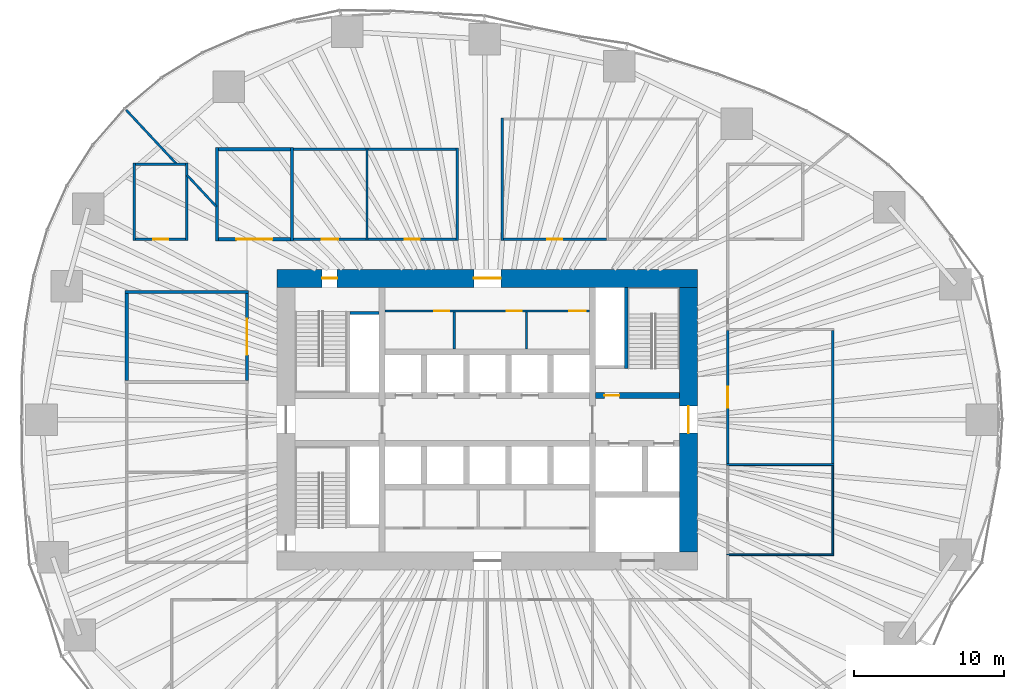
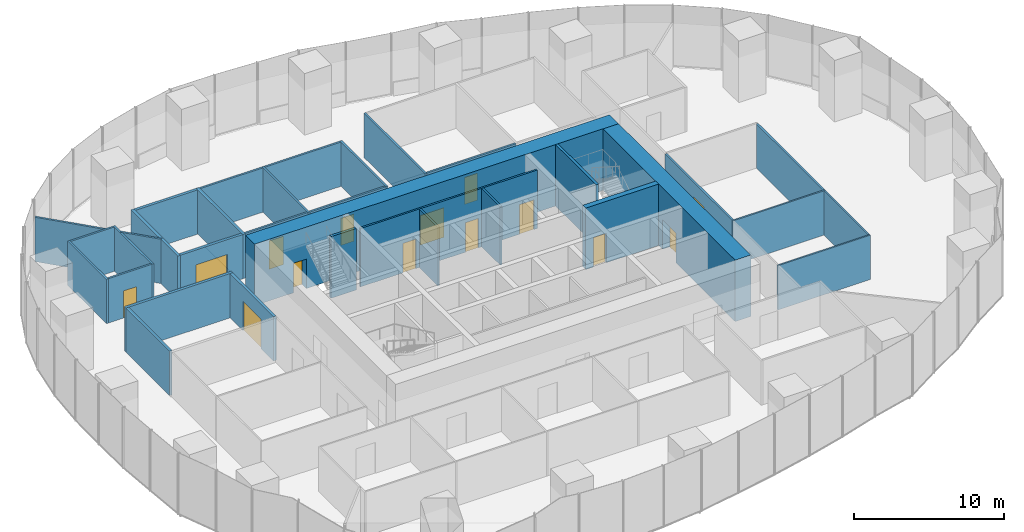
# One storey, part 11 of 20: 34 walls, 14 doors, 14 openings.
"""IFC4 building model written with IfcOpenShell, lengths in metres."""

import ifcopenshell
import ifcopenshell.guid

model = None  # the IFC model being written
_history = None  # IfcOwnerHistory: only IFC2X3 demands one
_inside = {}  # id of a spatial element -> (the spatial element, [elements in it])
_under = {}  # id of a project, library or spatial element -> (it, [spatial elements below it])
_declared = {}  # id of a project -> (the project, [libraries it declares])
_typed = {}  # id of a type object -> (the type object, [elements of that type])
_made_of = {}  # id of a material, layer set ... -> (it, [elements and type objects made of it])


def new_model(schema):
    """Start an empty IFC model of exactly this schema.

    Asked for "IFC4X3", IfcOpenShell would pick the latest addendum, in which some entities
    have other attributes; the version numbers below select the first issue.
    IFC2X3 requires an IfcOwnerHistory on every rooted entity: one is made here for all.
    """
    global model, _history
    if schema == "IFC4X3":
        model = ifcopenshell.file(schema_version=(4, 3, 0, 0))
    else:
        model = ifcopenshell.file(schema=schema)
    _inside.clear()
    _under.clear()
    _declared.clear()
    _typed.clear()
    _made_of.clear()
    _history = None
    if model.schema == "IFC2X3":
        org = make("IfcOrganization", Name="unknown")
        user = make(
            "IfcPersonAndOrganization",
            ThePerson=make("IfcPerson", FamilyName="unknown"),
            TheOrganization=org,
        )
        app = make(
            "IfcApplication",
            ApplicationDeveloper=org,
            Version="unknown",
            ApplicationFullName="unknown",
            ApplicationIdentifier="unknown",
        )
        _history = make(
            "IfcOwnerHistory",
            OwningUser=user,
            OwningApplication=app,
            ChangeAction="ADDED",
            CreationDate=0,
        )
    return model


def make(cls, **values):
    """One entity of the class cls with the attributes given. An attribute that is None is left unset."""
    return model.create_entity(
        cls, **{name: value for name, value in values.items() if value is not None}
    )


def rooted(cls, **values):
    """An entity with a GlobalId (a new one), such as an element, a storey or a relation."""
    return make(cls, GlobalId=ifcopenshell.guid.new(), OwnerHistory=_history, **values)


def si_unit(unit_type, name, prefix=None):
    """IfcSIUnit, for example si_unit("LENGTHUNIT", "METRE", prefix="MILLI")."""
    return make("IfcSIUnit", UnitType=unit_type, Prefix=prefix, Name=name)


def assignment(units):
    """IfcUnitAssignment: the units of a project."""
    return None if units is None else make("IfcUnitAssignment", Units=units)


def point(xyz):
    """IfcCartesianPoint."""
    return None if xyz is None else make("IfcCartesianPoint", Coordinates=xyz)


def direction(xyz):
    """IfcDirection."""
    return None if xyz is None else make("IfcDirection", DirectionRatios=xyz)


def frame(location, z_axis=None, x_axis=None):
    """IfcAxis2Placement3D, a coordinate frame: its origin and axes. An axis left out is left unset."""
    return make(
        "IfcAxis2Placement3D",
        Location=point(location),
        Axis=direction(z_axis),
        RefDirection=direction(x_axis),
    )


def frame_2d(location, x_axis=None):
    """IfcAxis2Placement2D, a coordinate frame in the plane: its origin and x axis."""
    return make(
        "IfcAxis2Placement2D", Location=point(location), RefDirection=direction(x_axis)
    )


def origin():
    """The frame at (0, 0, 0) with its axes left unset."""
    return frame((0.0, 0.0, 0.0))


def place(relative_to, where):
    """IfcLocalPlacement: puts the frame where relative to a parent placement (None: the world)."""
    return make(
        "IfcLocalPlacement", PlacementRelTo=relative_to, RelativePlacement=where
    )


def context(
    kind, dimensions, precision=None, world=None, true_north=None, identifier=None
):
    """IfcGeometricRepresentationContext, for example the 3D "Model" context."""
    return make(
        "IfcGeometricRepresentationContext",
        ContextIdentifier=identifier,
        ContextType=kind,
        CoordinateSpaceDimension=dimensions,
        Precision=precision,
        WorldCoordinateSystem=world,
        TrueNorth=true_north,
    )


def subcontext(parent, identifier, kind, view, scale=None):
    """IfcGeometricRepresentationSubContext, for example "Body" below "Model"."""
    return make(
        "IfcGeometricRepresentationSubContext",
        ContextIdentifier=identifier,
        ContextType=kind,
        ParentContext=parent,
        TargetScale=scale,
        TargetView=view,
    )


def project(units=None, contexts=None):
    """IfcProject with its units and contexts."""
    return rooted(
        "IfcProject",
        Name="project",
        RepresentationContexts=contexts,
        UnitsInContext=assignment(units),
    )


def spatial(cls, under=None, at=None, **own):
    """A site, building, storey or space (cls), placed at a placement, below another one or the project."""
    s = rooted(cls, ObjectPlacement=at, **own)
    if under is not None:
        _under.setdefault(under.id(), (under, []))[1].append(s)
    return s


def profile(cls, at=None, kind="AREA", **sizes):
    """A parametric profile (cls). Its sizes go by their IFC names, for example OverallWidth=200.0."""
    return make(cls, ProfileType=kind, Position=at, **sizes)


def rectangle(**sizes):
    """IfcRectangleProfileDef."""
    return profile("IfcRectangleProfileDef", **sizes)


def extrude(swept, where, along, depth):
    """IfcExtrudedAreaSolid: the profile swept, set in the frame where, extruded along a direction by depth."""
    return make(
        "IfcExtrudedAreaSolid",
        SweptArea=swept,
        Position=where,
        ExtrudedDirection=direction(along),
        Depth=depth,
    )


def shape(context_of_items, identifier, shape_type, items):
    """IfcShapeRepresentation: the items that make up one representation, for example the "Body"."""
    return make(
        "IfcShapeRepresentation",
        ContextOfItems=context_of_items,
        RepresentationIdentifier=identifier,
        RepresentationType=shape_type,
        Items=items,
    )


def material(Name=None, Category=None):
    """IfcMaterial."""
    return make("IfcMaterial", Name=Name, Category=Category)


def layer(
    of_material, thickness, ventilated=None, Name=None, Category=None, Priority=None
):
    """IfcMaterialLayer: one layer of a wall or slab, of a material (None: an air gap)."""
    return make(
        "IfcMaterialLayer",
        Material=of_material,
        LayerThickness=thickness,
        IsVentilated=ventilated,
        Name=Name,
        Category=Category,
        Priority=Priority,
    )


def layer_set(layers, Name=None):
    """IfcMaterialLayerSet."""
    return make("IfcMaterialLayerSet", MaterialLayers=layers, LayerSetName=Name)


def made_of(thing, what):
    """Note that an element or type object is made of a material, layer set ...; save() writes the relation."""
    if what is not None:
        _made_of.setdefault(what.id(), (what, []))[1].append(thing)
    return thing


def type_object(cls, material=None, **own):
    """A type object (cls), such as IfcWallType, which elements share."""
    return made_of(rooted(cls, **own), material)


def element(
    cls,
    number,
    at=None,
    inside=None,
    cuts=None,
    type_object=None,
    material=None,
    context=None,
    identifier="Body",
    shape_type=None,
    held_by="IfcProductDefinitionShape",
    body=None,
    shapes=None,
    **own,
):
    """One element of the class cls, such as IfcWall. Its Tag is "e" and its number.

    at: its placement. inside: the storey or other place that contains it. cuts: it is an
    opening in that element (IfcRelVoidsElement). A single representation is given by context,
    identifier, shape_type and body (its items); several are given by shapes. held_by: the class
    of the entity that holds the representations. save() writes the other relations.
    """
    e = rooted(cls, Tag="e%d" % number, ObjectPlacement=at, **own)
    if body is not None:
        shapes = [shape(context, identifier, shape_type, body)]
    if shapes is not None:
        e.Representation = make(held_by, Representations=shapes)
    if inside is not None:
        _inside.setdefault(inside.id(), (inside, []))[1].append(e)
    if cuts is not None:
        rooted(
            "IfcRelVoidsElement", RelatingBuildingElement=cuts, RelatedOpeningElement=e
        )
    if type_object is not None:
        _typed.setdefault(type_object.id(), (type_object, []))[1].append(e)
    return made_of(e, material)


def fill(opening, filler):
    """IfcRelFillsElement: the door or window that sits in an opening."""
    return rooted(
        "IfcRelFillsElement",
        RelatingOpeningElement=opening,
        RelatedBuildingElement=filler,
    )


def aggregate(whole, parts):
    """IfcRelAggregates: a whole, such as a stair, and the parts it consists of."""
    return rooted("IfcRelAggregates", RelatingObject=whole, RelatedObjects=parts)


def save(model, path):
    """Write the relations noted so far, then the file.

    IfcRelAggregates (storeys below a building ...), IfcRelContainedInSpatialStructure (elements
    in a storey), IfcRelDefinesByType, IfcRelAssociatesMaterial and IfcRelDeclares: one each for
    every whole, place, type object, material and project.
    """
    for whole, parts in _under.values():
        aggregate(whole, parts)
    for where, things in _inside.values():
        rooted(
            "IfcRelContainedInSpatialStructure",
            RelatedElements=things,
            RelatingStructure=where,
        )
    for kind, things in _typed.values():
        rooted("IfcRelDefinesByType", RelatedObjects=things, RelatingType=kind)
    for what, things in _made_of.values():
        rooted("IfcRelAssociatesMaterial", RelatedObjects=things, RelatingMaterial=what)
    for by, libraries in _declared.values():
        rooted("IfcRelDeclares", RelatingContext=by, RelatedDefinitions=libraries)
    model.write(path)


model = new_model("IFC4")

# Units and contexts
model_context = context("Model", 3, precision=1e-05, world=origin(), true_north=direction((0.0, 1.0)))
body_context = subcontext(model_context, "Body", "Model", "MODEL_VIEW")
ifc_project = project(units=[si_unit("LENGTHUNIT", "METRE"), si_unit("AREAUNIT", "SQUARE_METRE"), si_unit("VOLUMEUNIT", "CUBIC_METRE"), si_unit("PLANEANGLEUNIT", "RADIAN"), si_unit("MASSUNIT", "GRAM", prefix="KILO")], contexts=[model_context])

# Site, building, storey
site_placement = place(None, origin())
site = spatial("IfcSite", under=ifc_project, at=site_placement, CompositionType="ELEMENT")
building_placement = place(site_placement, origin())
building = spatial("IfcBuilding", under=site, at=building_placement, Name="Ghaith Harvest Tower", CompositionType="ELEMENT")
storey_placement = place(building_placement, frame((0.0, 0.0, 45.0)))
storey = spatial("IfcBuildingStorey", under=building, at=storey_placement, Name="L09", CompositionType="ELEMENT", Elevation=45.0)

# Wall
ifc_material_1 = material(Name="Concrete blockwork, 1-hour", Category="masonry")
ifc_layer_1 = layer(ifc_material_1, 0.215087890625)
ifc_layer_set_1 = layer_set([ifc_layer_1], Name="BLOCKWORK WALL 215")
wall_type_1 = type_object("IfcWallType", Name="BLOCKWORK WALL 215", PredefinedType="PARTITIONING", material=ifc_layer_set_1)
wall_1_placement = place(storey_placement, frame((-15.892578125, 8.5, 0.0), z_axis=(0.0, 0.0, 1.0), x_axis=(-1.0, 0.0, 0.0)))
element("IfcWall", 1, at=wall_1_placement, inside=storey, type_object=wall_type_1, Name="Partition L09 row W3 cross wall 4", PredefinedType="PARTITIONING", context=body_context, shape_type="SweptSolid", body=[
    extrude(rectangle(XDim=8.21484375, YDim=0.215087890625, at=frame_2d((4.107421875, 0.0))), origin(), (0.0, 0.0, 1.0), 3.60009765625),
])

# Wall, opening, door
wall_2_placement = place(storey_placement, frame((-16.0, 2.607421875, 0.0), z_axis=(0.0, 0.0, 1.0), x_axis=(0.0, 1.0, 0.0)))
wall_2 = element("IfcWall", 2, at=wall_2_placement, inside=storey, type_object=wall_type_1, Name="Partition L09-08", PredefinedType="PARTITIONING", context=body_context, shape_type="SweptSolid", body=[
    extrude(rectangle(XDim=5.78515625, YDim=0.215087890625, at=frame_2d((2.892578125, 0.0))), origin(), (0.0, 0.0, 1.0), 3.60009765625),
])
opening_1_placement = place(wall_2_placement, frame((1.6923828125, 0.0, 0.0)))
opening_1 = element("IfcOpeningElement", 3, at=opening_1_placement, cuts=wall_2, Name="Opening 09-031", PredefinedType="OPENING", context=body_context, shape_type="SweptSolid", body=[
    extrude(rectangle(XDim=2.39990234375, YDim=2.39990234375, at=frame_2d((1.199951171875, 1.199951171875))), frame((0.0, 0.11767578125, 0.0), z_axis=(0.0, -1.0, 0.0), x_axis=(1.0, 0.0, 0.0)), (0.0, 0.0, 1.0), 0.235107421875),
])
ifc_material_2 = material(Name="Timber door", Category="wood")
door_type_1 = type_object("IfcDoorType", Name="D10 PLANT PAIR 2400x2400", OperationType="DOUBLE_DOOR_SINGLE_SWING", PredefinedType="DOOR", material=ifc_material_2)
door_1_placement = place(opening_1_placement, origin())
door_1 = element("IfcDoor", 4, at=door_1_placement, inside=storey, type_object=door_type_1, Name="Nutrient tank room door", OperationType="DOUBLE_DOOR_SINGLE_SWING", OverallHeight=2.39990234375, OverallWidth=2.39990234375, PredefinedType="DOOR", context=body_context, shape_type="SweptSolid", body=[
    extrude(rectangle(XDim=2.39990234375, YDim=2.39990234375, at=frame_2d((1.199951171875, 1.199951171875))), frame((0.0, 0.02490234375, 0.0), z_axis=(0.0, -1.0, 0.0), x_axis=(1.0, 0.0, 0.0)), (0.0, 0.0, 1.0), 0.050048828125),
])
fill(opening_1, door_1)

# Walls
wall_3_placement = place(storey_placement, frame((-24.0, 2.607421875, 0.0), z_axis=(0.0, 0.0, 1.0), x_axis=(0.0, 1.0, 0.0)))
element("IfcWall", 5, at=wall_3_placement, inside=storey, type_object=wall_type_1, Name="Partition L09-08", PredefinedType="PARTITIONING", context=body_context, shape_type="SweptSolid", body=[
    extrude(rectangle(XDim=5.78515625, YDim=0.215087890625, at=frame_2d((2.892578125, 0.0))), origin(), (0.0, 0.0, 1.0), 3.60009765625),
])
for number, where, z_axis, x_axis, name in (
    (6, (-18.0, 11.892578125, 0.0), (0.0, 0.0, 1.0), (0.0, 1.0, 0.0), "Partition L09 row N4 cross wall 1"),
    (7, (-13.0, 11.892578125, 0.0), (0.0, 0.0, 1.0), (0.0, 1.0, 0.0), "Partition L09 row N4 cross wall 2"),
):
    element("IfcWall", number, at=place(storey_placement, frame(where, z_axis=z_axis, x_axis=x_axis)), inside=storey, type_object=wall_type_1, Name=name, PredefinedType="PARTITIONING", context=body_context, shape_type="SweptSolid", body=[
        extrude(rectangle(XDim=6.21484375, YDim=0.215087890625, at=frame_2d((3.107421875, 0.0))), origin(), (0.0, 0.0, 1.0), 3.60009765625),
    ])

# Wall, opening, door
wall_4_placement = place(storey_placement, frame((-17.892578125, 12.0, 0.0), z_axis=(0.0, 0.0, 1.0), x_axis=(1.0, 0.0, 0.0)))
wall_4 = element("IfcWall", 8, at=wall_4_placement, inside=storey, type_object=wall_type_1, Name="Partition L09-09", PredefinedType="PARTITIONING", context=body_context, shape_type="SweptSolid", body=[
    extrude(rectangle(XDim=4.78515625, YDim=0.215087890625, at=frame_2d((2.392578125, 0.0))), origin(), (0.0, 0.0, 1.0), 3.60009765625),
])
opening_2_placement = place(wall_4_placement, frame((1.1923828125, 0.0, 0.0)))
opening_2 = element("IfcOpeningElement", 9, at=opening_2_placement, cuts=wall_4, Name="Opening 09-032", PredefinedType="OPENING", context=body_context, shape_type="SweptSolid", body=[
    extrude(rectangle(XDim=2.39990234375, YDim=2.39990234375, at=frame_2d((1.199951171875, 1.199951171875))), frame((0.0, 0.11767578125, 0.0), z_axis=(0.0, -1.0, 0.0), x_axis=(1.0, 0.0, 0.0)), (0.0, 0.0, 1.0), 0.235107421875),
])
door_2_placement = place(opening_2_placement, origin())
door_2 = element("IfcDoor", 10, at=door_2_placement, inside=storey, type_object=door_type_1, Name="Pump room door", OperationType="DOUBLE_DOOR_SINGLE_SWING", OverallHeight=2.39990234375, OverallWidth=2.39990234375, PredefinedType="DOOR", context=body_context, shape_type="SweptSolid", body=[
    extrude(rectangle(XDim=2.39990234375, YDim=2.39990234375, at=frame_2d((1.199951171875, 1.199951171875))), frame((0.0, 0.02490234375, 0.0), z_axis=(0.0, -1.0, 0.0), x_axis=(1.0, 0.0, 0.0)), (0.0, 0.0, 1.0), 0.050048828125),
])
fill(opening_2, door_2)

# Wall
wall_5_placement = place(storey_placement, frame((-17.892578125, 18.0, 0.0), z_axis=(0.0, 0.0, 1.0), x_axis=(1.0, 0.0, 0.0)))
element("IfcWall", 11, at=wall_5_placement, inside=storey, type_object=wall_type_1, Name="Partition L09-09", PredefinedType="PARTITIONING", context=body_context, shape_type="SweptSolid", body=[
    extrude(rectangle(XDim=4.78515625, YDim=0.215087890625, at=frame_2d((2.392578125, 0.0))), origin(), (0.0, 0.0, 1.0), 3.60009765625),
])

# Wall, openings, doors
ifc_material_3 = material(Name="Concrete blockwork, fair-faced", Category="masonry")
ifc_layer_2 = layer(ifc_material_3, 0.139892578125)
ifc_layer_set_2 = layer_set([ifc_layer_2], Name="CORE PARTITION 140")
wall_type_2 = type_object("IfcWallType", Name="CORE PARTITION 140", PredefinedType="PARTITIONING", material=ifc_layer_set_2)
wall_6_placement = place(storey_placement, frame((-6.800048828125, 7.22998046875, 0.0), z_axis=(0.0, 0.0, 1.0), x_axis=(1.0, 0.0, 0.0)))
wall_6 = element("IfcWall", 12, at=wall_6_placement, inside=storey, type_object=wall_type_2, Name="Core partition L09", PredefinedType="PARTITIONING", context=body_context, shape_type="SweptSolid", body=[
    extrude(rectangle(XDim=13.60009765625, YDim=0.139892578125, at=frame_2d((6.800048828125, 0.0))), origin(), (0.0, 0.0, 1.0), 4.75),
])
opening_3_placement = place(wall_6_placement, frame((3.280029296875, 0.0, 0.0)))
opening_3 = element("IfcOpeningElement", 13, at=opening_3_placement, cuts=wall_6, Name="Opening 09-008", PredefinedType="OPENING", context=body_context, shape_type="SweptSolid", body=[
    extrude(rectangle(XDim=1.0, YDim=2.39990234375, at=frame_2d((0.5, 1.199951171875))), frame((0.0, 0.080078125, 0.0), z_axis=(0.0, -1.0, 0.0), x_axis=(1.0, 0.0, 0.0)), (0.0, 0.0, 1.0), 0.159912109375),
])
opening_4_placement = place(wall_6_placement, frame((8.080078125, 0.0, 0.0)))
opening_4 = element("IfcOpeningElement", 14, at=opening_4_placement, cuts=wall_6, Name="Opening 09-009", PredefinedType="OPENING", context=body_context, shape_type="SweptSolid", body=[
    extrude(rectangle(XDim=1.0, YDim=2.39990234375, at=frame_2d((0.5, 1.199951171875))), frame((0.0, 0.080078125, 0.0), z_axis=(0.0, -1.0, 0.0), x_axis=(1.0, 0.0, 0.0)), (0.0, 0.0, 1.0), 0.159912109375),
])
opening_5_placement = place(wall_6_placement, frame((12.25, 0.0, 0.0)))
opening_5 = element("IfcOpeningElement", 15, at=opening_5_placement, cuts=wall_6, Name="Opening 09-010", PredefinedType="OPENING", context=body_context, shape_type="SweptSolid", body=[
    extrude(rectangle(XDim=1.10009765625, YDim=2.39990234375, at=frame_2d((0.550048828125, 1.199951171875))), frame((0.0, 0.080078125, 0.0), z_axis=(0.0, -1.0, 0.0), x_axis=(1.0, 0.0, 0.0)), (0.0, 0.0, 1.0), 0.159912109375),
])
ifc_material_4 = material(Name="Steel fire door", Category="steel")
door_type_2 = type_object("IfcDoorType", Name="D3 FD90 1000x2400", OperationType="SINGLE_SWING_LEFT", PredefinedType="DOOR", material=ifc_material_4)
door_3_placement = place(opening_3_placement, origin())
door_3 = element("IfcDoor", 16, at=door_3_placement, inside=storey, type_object=door_type_2, Name="Female WC door", OperationType="SINGLE_SWING_LEFT", OverallHeight=2.39990234375, OverallWidth=1.0, PredefinedType="DOOR", context=body_context, shape_type="SweptSolid", body=[
    extrude(rectangle(XDim=1.0, YDim=2.39990234375, at=frame_2d((0.5, 1.199951171875))), frame((0.0, 0.02490234375, 0.0), z_axis=(0.0, -1.0, 0.0), x_axis=(1.0, 0.0, 0.0)), (0.0, 0.0, 1.0), 0.050048828125),
])
fill(opening_3, door_3)
door_4_placement = place(opening_4_placement, origin())
door_4 = element("IfcDoor", 17, at=door_4_placement, inside=storey, type_object=door_type_2, Name="Male WC door", OperationType="SINGLE_SWING_RIGHT", OverallHeight=2.39990234375, OverallWidth=1.0, PredefinedType="DOOR", context=body_context, shape_type="SweptSolid", body=[
    extrude(rectangle(XDim=1.0, YDim=2.39990234375, at=frame_2d((0.5, 1.199951171875))), frame((0.0, 0.02490234375, 0.0), z_axis=(0.0, -1.0, 0.0), x_axis=(1.0, 0.0, 0.0)), (0.0, 0.0, 1.0), 0.050048828125),
])
fill(opening_4, door_4)
ifc_material_5 = material(Name="Steel fire door", Category="steel")
door_type_3 = type_object("IfcDoorType", Name="D9 FD90 1100x2400", OperationType="SINGLE_SWING_LEFT", PredefinedType="DOOR", material=ifc_material_5)
door_5_placement = place(opening_5_placement, origin())
door_5 = element("IfcDoor", 18, at=door_5_placement, inside=storey, type_object=door_type_3, Name="Accessible WC door", OperationType="SINGLE_SWING_RIGHT", OverallHeight=2.39990234375, OverallWidth=1.10009765625, PredefinedType="DOOR", context=body_context, shape_type="SweptSolid", body=[
    extrude(rectangle(XDim=1.10009765625, YDim=2.39990234375, at=frame_2d((0.550048828125, 1.199951171875))), frame((0.0, 0.02490234375, 0.0), z_axis=(0.0, -1.0, 0.0), x_axis=(1.0, 0.0, 0.0)), (0.0, 0.0, 1.0), 0.050048828125),
])
fill(opening_5, door_5)

# Walls
for number, where, z_axis, x_axis, name in (
    (19, (-2.199951171875, 4.699951171875, 0.0), (0.0, 0.0, 1.0), (0.0, 1.0, 0.0), "Core partition L09"),
    (20, (2.60009765625, 4.699951171875, 0.0), (0.0, 0.0, 1.0), (0.0, 1.0, 0.0), "Core partition L09"),
):
    element("IfcWall", number, at=place(storey_placement, frame(where, z_axis=z_axis, x_axis=x_axis)), inside=storey, type_object=wall_type_2, Name=name, PredefinedType="PARTITIONING", context=body_context, shape_type="SweptSolid", body=[
        extrude(rectangle(XDim=2.4599609375, YDim=0.139892578125, at=frame_2d((1.22998046875, 0.0))), origin(), (0.0, 0.0, 1.0), 4.75),
    ])

# Wall, openings, doors
ifc_material_6 = material(Name="Concrete C70/85", Category="concrete")
ifc_layer_3 = layer(ifc_material_6, 1.199951171875)
ifc_layer_set_3 = layer_set([ifc_layer_3], Name="CORE WALL CW1200")
wall_type_3 = type_object("IfcWallType", Name="CORE WALL CW1200", PredefinedType="SHEAR", material=ifc_layer_set_3)
wall_7_placement = place(storey_placement, frame((14.0, 9.39990234375, 0.0), z_axis=(0.0, 0.0, 1.0), x_axis=(-1.0, 0.0, 0.0)))
wall_7 = element("IfcWall", 21, at=wall_7_placement, inside=storey, type_object=wall_type_3, Name="Core wall N L09", PredefinedType="SHEAR", context=body_context, shape_type="SweptSolid", body=[
    extrude(rectangle(XDim=28.0, YDim=1.199951171875, at=frame_2d((14.0, 0.0))), origin(), (0.0, 0.0, 1.0), 5.0),
])
opening_6_placement = place(wall_7_placement, frame((24.0, 0.0, 0.0)))
opening_6 = element("IfcOpeningElement", 22, at=opening_6_placement, cuts=wall_7, Name="Opening 09-005", PredefinedType="OPENING", context=body_context, shape_type="SweptSolid", body=[
    extrude(rectangle(XDim=1.0, YDim=2.39990234375, at=frame_2d((0.5, 1.199951171875))), frame((0.0, 0.60986328125, 0.0), z_axis=(0.0, -1.0, 0.0), x_axis=(1.0, 0.0, 0.0)), (0.0, 0.0, 1.0), 1.219970703125),
])
opening_7_placement = place(wall_7_placement, frame((13.10009765625, 0.0, 0.0)))
opening_7 = element("IfcOpeningElement", 23, at=opening_7_placement, cuts=wall_7, Name="Opening 09-015", PredefinedType="OPENING", context=body_context, shape_type="SweptSolid", body=[
    extrude(rectangle(XDim=1.800048828125, YDim=2.39990234375, at=frame_2d((0.89990234375, 1.199951171875))), frame((0.0, 0.60986328125, 0.0), z_axis=(0.0, -1.0, 0.0), x_axis=(1.0, 0.0, 0.0)), (0.0, 0.0, 1.0), 1.219970703125),
])
door_6_placement = place(opening_6_placement, origin())
door_6 = element("IfcDoor", 24, at=door_6_placement, inside=storey, type_object=door_type_2, Name="Stair ST1 door", OperationType="SINGLE_SWING_RIGHT", OverallHeight=2.39990234375, OverallWidth=1.0, PredefinedType="DOOR", context=body_context, shape_type="SweptSolid", body=[
    extrude(rectangle(XDim=1.0, YDim=2.39990234375, at=frame_2d((0.5, 1.199951171875))), frame((0.0, 0.02490234375, 0.0), z_axis=(0.0, -1.0, 0.0), x_axis=(1.0, 0.0, 0.0)), (0.0, 0.0, 1.0), 0.050048828125),
])
fill(opening_6, door_6)
ifc_material_7 = material(Name="Steel fire door", Category="steel")
door_type_4 = type_object("IfcDoorType", Name="D4 FD90 PAIR 1800x2400", OperationType="DOUBLE_DOOR_SINGLE_SWING", PredefinedType="DOOR", material=ifc_material_7)
door_7_placement = place(opening_7_placement, origin())
door_7 = element("IfcDoor", 25, at=door_7_placement, inside=storey, type_object=door_type_4, Name="Core service corridor doors", OperationType="DOUBLE_DOOR_SINGLE_SWING", OverallHeight=2.39990234375, OverallWidth=1.800048828125, PredefinedType="DOOR", context=body_context, shape_type="SweptSolid", body=[
    extrude(rectangle(XDim=1.800048828125, YDim=2.39990234375, at=frame_2d((0.89990234375, 1.199951171875))), frame((0.0, 0.02490234375, 0.0), z_axis=(0.0, -1.0, 0.0), x_axis=(1.0, 0.0, 0.0)), (0.0, 0.0, 1.0), 0.050048828125),
])
fill(opening_7, door_7)

# Wall, opening, door
wall_8_placement = place(storey_placement, frame((13.39990234375, -8.800048828125, 0.0), z_axis=(0.0, 0.0, 1.0), x_axis=(0.0, 1.0, 0.0)))
wall_8 = element("IfcWall", 26, at=wall_8_placement, inside=storey, type_object=wall_type_3, Name="Core wall E L09", PredefinedType="SHEAR", context=body_context, shape_type="SweptSolid", body=[
    extrude(rectangle(XDim=17.60009765625, YDim=1.199951171875, at=frame_2d((8.800048828125, 0.0))), origin(), (0.0, 0.0, 1.0), 5.0),
])
opening_8_placement = place(wall_8_placement, frame((7.89990234375, 0.0, 0.0)))
opening_8 = element("IfcOpeningElement", 27, at=opening_8_placement, cuts=wall_8, Name="Opening 09-002", PredefinedType="OPENING", context=body_context, shape_type="SweptSolid", body=[
    extrude(rectangle(XDim=1.800048828125, YDim=2.39990234375, at=frame_2d((0.89990234375, 1.199951171875))), frame((0.0, 0.60986328125, 0.0), z_axis=(0.0, -1.0, 0.0), x_axis=(1.0, 0.0, 0.0)), (0.0, 0.0, 1.0), 1.219970703125),
])
door_8_placement = place(opening_8_placement, origin())
door_8 = element("IfcDoor", 28, at=door_8_placement, inside=storey, type_object=door_type_4, Name="Fire-fighting lobby doors", OperationType="DOUBLE_DOOR_SINGLE_SWING", OverallHeight=2.39990234375, OverallWidth=1.800048828125, PredefinedType="DOOR", context=body_context, shape_type="SweptSolid", body=[
    extrude(rectangle(XDim=1.800048828125, YDim=2.39990234375, at=frame_2d((0.89990234375, 1.199951171875))), frame((0.0, 0.02490234375, 0.0), z_axis=(0.0, -1.0, 0.0), x_axis=(1.0, 0.0, 0.0)), (0.0, 0.0, 1.0), 0.050048828125),
])
fill(opening_8, door_8)

# Walls
ifc_material_8 = material(Name="Insulated food-grade panel", Category="steel")
ifc_layer_4 = layer(ifc_material_8, 0.1201171875)
ifc_layer_set_4 = layer_set([ifc_layer_4], Name="INSULATED PANEL WALL 120")
wall_type_4 = type_object("IfcWallType", Name="INSULATED PANEL WALL 120", PredefinedType="PARTITIONING", material=ifc_layer_set_4)
wall_9_placement = place(storey_placement, frame((15.93994140625, -9.0, 0.0), z_axis=(0.0, 0.0, 1.0), x_axis=(1.0, 0.0, 0.0)))
element("IfcWall", 29, at=wall_9_placement, inside=storey, type_object=wall_type_4, Name="Partition L09 row E6 cross wall 1", PredefinedType="PARTITIONING", context=body_context, shape_type="SweptSolid", body=[
    extrude(rectangle(XDim=7.1201171875, YDim=0.1201171875, at=frame_2d((3.56005859375, 0.0))), origin(), (0.0, 0.0, 1.0), 3.60009765625),
])
wall_10_placement = place(storey_placement, frame((15.925048828125, -3.0, 0.0), z_axis=(0.0, 0.0, 1.0), x_axis=(1.0, 0.0, 0.0)))
element("IfcWall", 30, at=wall_10_placement, inside=storey, type_object=wall_type_4, Name="Partition L09 row E6 cross wall 2", PredefinedType="PARTITIONING", context=body_context, shape_type="SweptSolid", body=[
    extrude(rectangle(XDim=7.14990234375, YDim=0.1201171875, at=frame_2d((3.574951171875, 0.0))), origin(), (0.0, 0.0, 1.0), 3.60009765625),
])
wall_11_placement = place(storey_placement, frame((23.0, -8.93994140625, 0.0), z_axis=(0.0, 0.0, 1.0), x_axis=(0.0, 1.0, 0.0)))
element("IfcWall", 31, at=wall_11_placement, inside=storey, type_object=wall_type_4, Name="Partition L09-14", PredefinedType="PARTITIONING", context=body_context, shape_type="SweptSolid", body=[
    extrude(rectangle(XDim=5.8798828125, YDim=0.1201171875, at=frame_2d((2.93994140625, 0.0))), origin(), (0.0, 0.0, 1.0), 3.60009765625),
])
ifc_material_9 = material(Name="Gypsum board on steel studs", Category="steel")
ifc_layer_5 = layer(ifc_material_9, 0.14990234375)
ifc_layer_set_5 = layer_set([ifc_layer_5], Name="PARTITION 150")
wall_type_5 = type_object("IfcWallType", Name="PARTITION 150", PredefinedType="PARTITIONING", material=ifc_layer_set_5)
for number, where, z_axis, x_axis, name in (
    (32, (-8.0, 11.925048828125, 0.0), (0.0, 0.0, 1.0), (0.0, 1.0, 0.0), "Partition L09 row N4 cross wall 3"),
    (33, (-2.0, 11.925048828125, 0.0), (0.0, 0.0, 1.0), (0.0, 1.0, 0.0), "Partition L09 row N4 cross wall 4"),
):
    element("IfcWall", number, at=place(storey_placement, frame(where, z_axis=z_axis, x_axis=x_axis)), inside=storey, type_object=wall_type_5, Name=name, PredefinedType="PARTITIONING", context=body_context, shape_type="SweptSolid", body=[
        extrude(rectangle(XDim=6.14990234375, YDim=0.14990234375, at=frame_2d((3.074951171875, 0.0))), origin(), (0.0, 0.0, 1.0), 3.60009765625),
    ])

# Wall, opening, door
wall_12_placement = place(storey_placement, frame((-12.892578125, 12.0, 0.0), z_axis=(0.0, 0.0, 1.0), x_axis=(1.0, 0.0, 0.0)))
wall_12 = element("IfcWall", 34, at=wall_12_placement, inside=storey, type_object=wall_type_5, Name="Partition L09-10", PredefinedType="PARTITIONING", context=body_context, shape_type="SweptSolid", body=[
    extrude(rectangle(XDim=4.817626953125, YDim=0.14990234375, at=frame_2d((2.40869140625, 0.0))), origin(), (0.0, 0.0, 1.0), 3.60009765625),
])
opening_9_placement = place(wall_12_placement, frame((1.85888671875, 0.0, 0.0)))
opening_9 = element("IfcOpeningElement", 35, at=opening_9_placement, cuts=wall_12, Name="Opening 09-033", PredefinedType="OPENING", context=body_context, shape_type="SweptSolid", body=[
    extrude(rectangle(XDim=1.10009765625, YDim=2.300048828125, at=frame_2d((0.550048828125, 1.14990234375))), frame((0.0, 0.0849609375, 0.0), z_axis=(0.0, -1.0, 0.0), x_axis=(1.0, 0.0, 0.0)), (0.0, 0.0, 1.0), 0.169921875),
])
ifc_material_10 = material(Name="Timber-framed glazed door", Category="wood")
door_type_5 = type_object("IfcDoorType", Name="D12 GLAZED OFFICE 1100x2300", OperationType="SINGLE_SWING_LEFT", PredefinedType="DOOR", material=ifc_material_10)
door_9_placement = place(opening_9_placement, origin())
door_9 = element("IfcDoor", 36, at=door_9_placement, inside=storey, type_object=door_type_5, Name="Growing office door", OperationType="SINGLE_SWING_LEFT", OverallHeight=2.300048828125, OverallWidth=1.10009765625, PredefinedType="DOOR", context=body_context, shape_type="SweptSolid", body=[
    extrude(rectangle(XDim=1.10009765625, YDim=2.300048828125, at=frame_2d((0.550048828125, 1.14990234375))), frame((0.0, 0.02490234375, 0.0), z_axis=(0.0, -1.0, 0.0), x_axis=(1.0, 0.0, 0.0)), (0.0, 0.0, 1.0), 0.050048828125),
])
fill(opening_9, door_9)

# Wall
wall_13_placement = place(storey_placement, frame((-12.892578125, 18.0, 0.0), z_axis=(0.0, 0.0, 1.0), x_axis=(1.0, 0.0, 0.0)))
element("IfcWall", 37, at=wall_13_placement, inside=storey, type_object=wall_type_5, Name="Partition L09-10", PredefinedType="PARTITIONING", context=body_context, shape_type="SweptSolid", body=[
    extrude(rectangle(XDim=4.817626953125, YDim=0.14990234375, at=frame_2d((2.40869140625, 0.0))), origin(), (0.0, 0.0, 1.0), 3.60009765625),
])

# Wall, opening, door
wall_14_placement = place(storey_placement, frame((-7.925048828125, 12.0, 0.0), z_axis=(0.0, 0.0, 1.0), x_axis=(1.0, 0.0, 0.0)))
wall_14 = element("IfcWall", 38, at=wall_14_placement, inside=storey, type_object=wall_type_5, Name="Partition L09-11", PredefinedType="PARTITIONING", context=body_context, shape_type="SweptSolid", body=[
    extrude(rectangle(XDim=5.85009765625, YDim=0.14990234375, at=frame_2d((2.925048828125, 0.0))), origin(), (0.0, 0.0, 1.0), 3.60009765625),
])
opening_10_placement = place(wall_14_placement, frame((2.425048828125, 0.0, 0.0)))
opening_10 = element("IfcOpeningElement", 39, at=opening_10_placement, cuts=wall_14, Name="Opening 09-034", PredefinedType="OPENING", context=body_context, shape_type="SweptSolid", body=[
    extrude(rectangle(XDim=1.0, YDim=2.199951171875, at=frame_2d((0.5, 1.10009765625))), frame((0.0, 0.0849609375, 0.0), z_axis=(0.0, -1.0, 0.0), x_axis=(1.0, 0.0, 0.0)), (0.0, 0.0, 1.0), 0.169921875),
])
ifc_material_11 = material(Name="Timber door", Category="wood")
door_type_6 = type_object("IfcDoorType", Name="D1 SINGLE 1000x2200", OperationType="SINGLE_SWING_LEFT", PredefinedType="DOOR", material=ifc_material_11)
door_10_placement = place(opening_10_placement, origin())
door_10 = element("IfcDoor", 40, at=door_10_placement, inside=storey, type_object=door_type_6, Name="Staff room door", OperationType="SINGLE_SWING_LEFT", OverallHeight=2.199951171875, OverallWidth=1.0, PredefinedType="DOOR", context=body_context, shape_type="SweptSolid", body=[
    extrude(rectangle(XDim=1.0, YDim=2.199951171875, at=frame_2d((0.5, 1.10009765625))), frame((0.0, 0.02490234375, 0.0), z_axis=(0.0, -1.0, 0.0), x_axis=(1.0, 0.0, 0.0)), (0.0, 0.0, 1.0), 0.050048828125),
])
fill(opening_10, door_10)

# Walls
wall_15_placement = place(storey_placement, frame((-7.925048828125, 18.0, 0.0), z_axis=(0.0, 0.0, 1.0), x_axis=(1.0, 0.0, 0.0)))
element("IfcWall", 41, at=wall_15_placement, inside=storey, type_object=wall_type_5, Name="Partition L09-11", PredefinedType="PARTITIONING", context=body_context, shape_type="SweptSolid", body=[
    extrude(rectangle(XDim=5.85009765625, YDim=0.14990234375, at=frame_2d((2.925048828125, 0.0))), origin(), (0.0, 0.0, 1.0), 3.60009765625),
])
wall_16_placement = place(storey_placement, frame((1.0, 11.925048828125, 0.0), z_axis=(0.0, 0.0, 1.0), x_axis=(0.0, 1.0, 0.0)))
element("IfcWall", 42, at=wall_16_placement, inside=storey, type_object=wall_type_5, Name="Partition L09 row N5 cross wall 1", PredefinedType="PARTITIONING", context=body_context, shape_type="SweptSolid", body=[
    extrude(rectangle(XDim=8.14990234375, YDim=0.14990234375, at=frame_2d((4.074951171875, 0.0))), origin(), (0.0, 0.0, 1.0), 3.60009765625),
])

# Wall, opening, door
wall_17_placement = place(storey_placement, frame((1.074951171875, 12.0, 0.0), z_axis=(0.0, 0.0, 1.0), x_axis=(1.0, 0.0, 0.0)))
wall_17 = element("IfcWall", 43, at=wall_17_placement, inside=storey, type_object=wall_type_5, Name="Partition L09-12", PredefinedType="PARTITIONING", context=body_context, shape_type="SweptSolid", body=[
    extrude(rectangle(XDim=6.85009765625, YDim=0.14990234375, at=frame_2d((3.425048828125, 0.0))), origin(), (0.0, 0.0, 1.0), 3.60009765625),
])
opening_11_placement = place(wall_17_placement, frame((2.925048828125, 0.0, 0.0)))
opening_11 = element("IfcOpeningElement", 44, at=opening_11_placement, cuts=wall_17, Name="Opening 09-035", PredefinedType="OPENING", context=body_context, shape_type="SweptSolid", body=[
    extrude(rectangle(XDim=1.0, YDim=2.199951171875, at=frame_2d((0.5, 1.10009765625))), frame((0.0, 0.0849609375, 0.0), z_axis=(0.0, -1.0, 0.0), x_axis=(1.0, 0.0, 0.0)), (0.0, 0.0, 1.0), 0.169921875),
])
door_11_placement = place(opening_11_placement, origin())
door_11 = element("IfcDoor", 45, at=door_11_placement, inside=storey, type_object=door_type_6, Name="Seedling room door", OperationType="SINGLE_SWING_LEFT", OverallHeight=2.199951171875, OverallWidth=1.0, PredefinedType="DOOR", context=body_context, shape_type="SweptSolid", body=[
    extrude(rectangle(XDim=1.0, YDim=2.199951171875, at=frame_2d((0.5, 1.10009765625))), frame((0.0, 0.02490234375, 0.0), z_axis=(0.0, -1.0, 0.0), x_axis=(1.0, 0.0, 0.0)), (0.0, 0.0, 1.0), 0.050048828125),
])
fill(opening_11, door_11)

wall_18_placement = place(storey_placement, frame((16.0, -2.93994140625, 0.0), z_axis=(0.0, 0.0, 1.0), x_axis=(0.0, 1.0, 0.0)))
wall_18 = element("IfcWall", 46, at=wall_18_placement, inside=storey, type_object=wall_type_5, Name="Partition L09-15", PredefinedType="PARTITIONING", context=body_context, shape_type="SweptSolid", body=[
    extrude(rectangle(XDim=8.864990234375, YDim=0.14990234375, at=frame_2d((4.4326171875, 0.0))), origin(), (0.0, 0.0, 1.0), 3.60009765625),
])
opening_12_placement = place(wall_18_placement, frame((3.732421875, 0.0, 0.0)))
opening_12 = element("IfcOpeningElement", 47, at=opening_12_placement, cuts=wall_18, Name="Opening 09-038", PredefinedType="OPENING", context=body_context, shape_type="SweptSolid", body=[
    extrude(rectangle(XDim=1.39990234375, YDim=2.39990234375, at=frame_2d((0.699951171875, 1.199951171875))), frame((0.0, 0.0849609375, 0.0), z_axis=(0.0, -1.0, 0.0), x_axis=(1.0, 0.0, 0.0)), (0.0, 0.0, 1.0), 0.169921875),
])
ifc_material_12 = material(Name="Stainless steel faced door pair", Category="steel")
door_type_7 = type_object("IfcDoorType", Name="D14 HYGIENE PAIR 1400x2400", OperationType="DOUBLE_DOOR_DOUBLE_SWING", PredefinedType="DOOR", material=ifc_material_12)
door_12_placement = place(opening_12_placement, origin())
door_12 = element("IfcDoor", 48, at=door_12_placement, inside=storey, type_object=door_type_7, Name="Packing room door", OperationType="DOUBLE_DOOR_DOUBLE_SWING", OverallHeight=2.39990234375, OverallWidth=1.39990234375, PredefinedType="DOOR", context=body_context, shape_type="SweptSolid", body=[
    extrude(rectangle(XDim=1.39990234375, YDim=2.39990234375, at=frame_2d((0.699951171875, 1.199951171875))), frame((0.0, 0.02490234375, 0.0), z_axis=(0.0, -1.0, 0.0), x_axis=(1.0, 0.0, 0.0)), (0.0, 0.0, 1.0), 0.050048828125),
])
fill(opening_12, door_12)

# Walls
wall_19_placement = place(storey_placement, frame((23.0, -2.93994140625, 0.0), z_axis=(0.0, 0.0, 1.0), x_axis=(0.0, 1.0, 0.0)))
element("IfcWall", 49, at=wall_19_placement, inside=storey, type_object=wall_type_5, Name="Partition L09-15", PredefinedType="PARTITIONING", context=body_context, shape_type="SweptSolid", body=[
    extrude(rectangle(XDim=8.864990234375, YDim=0.14990234375, at=frame_2d((4.4326171875, 0.0))), origin(), (0.0, 0.0, 1.0), 3.60009765625),
])
for number, where, z_axis, x_axis, name in (
    (50, (-23.5, 11.925048828125, 0.0), (0.0, 0.0, 1.0), (0.0, 1.0, 0.0), "Partition L09 row N8 cross wall 1"),
    (51, (-20.0, 11.925048828125, 0.0), (0.0, 0.0, 1.0), (0.0, 1.0, 0.0), "Partition L09 row N8 cross wall 2"),
):
    element("IfcWall", number, at=place(storey_placement, frame(where, z_axis=z_axis, x_axis=x_axis)), inside=storey, type_object=wall_type_5, Name=name, PredefinedType="PARTITIONING", context=body_context, shape_type="SweptSolid", body=[
        extrude(rectangle(XDim=5.14990234375, YDim=0.14990234375, at=frame_2d((2.574951171875, 0.0))), origin(), (0.0, 0.0, 1.0), 3.60009765625),
    ])

# Wall, opening, door
wall_20_placement = place(storey_placement, frame((-23.425048828125, 12.0, 0.0), z_axis=(0.0, 0.0, 1.0), x_axis=(1.0, 0.0, 0.0)))
wall_20 = element("IfcWall", 52, at=wall_20_placement, inside=storey, type_object=wall_type_5, Name="Partition L09-17", PredefinedType="PARTITIONING", context=body_context, shape_type="SweptSolid", body=[
    extrude(rectangle(XDim=3.35009765625, YDim=0.14990234375, at=frame_2d((1.675048828125, 0.0))), origin(), (0.0, 0.0, 1.0), 3.60009765625),
])
opening_13_placement = place(wall_20_placement, frame((1.175048828125, 0.0, 0.0)))
opening_13 = element("IfcOpeningElement", 53, at=opening_13_placement, cuts=wall_20, Name="Opening 09-040", PredefinedType="OPENING", context=body_context, shape_type="SweptSolid", body=[
    extrude(rectangle(XDim=1.0, YDim=2.199951171875, at=frame_2d((0.5, 1.10009765625))), frame((0.0, 0.0849609375, 0.0), z_axis=(0.0, -1.0, 0.0), x_axis=(1.0, 0.0, 0.0)), (0.0, 0.0, 1.0), 0.169921875),
])
door_13_placement = place(opening_13_placement, origin())
door_13 = element("IfcDoor", 54, at=door_13_placement, inside=storey, type_object=door_type_6, Name="Store door", OperationType="SINGLE_SWING_LEFT", OverallHeight=2.199951171875, OverallWidth=1.0, PredefinedType="DOOR", context=body_context, shape_type="SweptSolid", body=[
    extrude(rectangle(XDim=1.0, YDim=2.199951171875, at=frame_2d((0.5, 1.10009765625))), frame((0.0, 0.02490234375, 0.0), z_axis=(0.0, -1.0, 0.0), x_axis=(1.0, 0.0, 0.0)), (0.0, 0.0, 1.0), 0.050048828125),
])
fill(opening_13, door_13)

# Walls
wall_21_placement = place(storey_placement, frame((-23.425048828125, 17.0, 0.0), z_axis=(0.0, 0.0, 1.0), x_axis=(1.0, 0.0, 0.0)))
element("IfcWall", 55, at=wall_21_placement, inside=storey, type_object=wall_type_5, Name="Partition L09-17", PredefinedType="PARTITIONING", context=body_context, shape_type="SweptSolid", body=[
    extrude(rectangle(XDim=3.35009765625, YDim=0.14990234375, at=frame_2d((1.675048828125, 0.0))), origin(), (0.0, 0.0, 1.0), 3.60009765625),
])
wall_22_placement = place(storey_placement, frame((-20.68798828125, 17.02001953125, 0.0), z_axis=(0.0, 0.0, 1.0), x_axis=(-0.682520458914, 0.730866487919, 0.0)))
element("IfcWall", 56, at=wall_22_placement, inside=storey, type_object=wall_type_5, Name="Partition L09 zone division", PredefinedType="PARTITIONING", context=body_context, shape_type="SweptSolid", body=[
    extrude(rectangle(XDim=4.9033203125, YDim=0.14990234375, at=frame_2d((2.45166015625, 0.0))), origin(), (0.0, 0.0, 1.0), 3.60009765625),
])
wall_23_placement = place(storey_placement, frame((-18.02001953125, 14.1630859375, 0.0), z_axis=(0.0, 0.0, 1.0), x_axis=(-0.682506029746, 0.730879962347, 0.0)))
element("IfcWall", 57, at=wall_23_placement, inside=storey, type_object=wall_type_5, Name="Partition L09 zone division", PredefinedType="PARTITIONING", context=body_context, shape_type="SweptSolid", body=[
    extrude(rectangle(XDim=2.871826171875, YDim=0.14990234375, at=frame_2d((1.43603515625, 0.0))), origin(), (0.0, 0.0, 1.0), 3.60009765625),
])

# Wall, opening, door
ifc_material_13 = material(Name="Concrete C70/85", Category="concrete")
ifc_layer_6 = layer(ifc_material_13, 0.39990234375)
ifc_layer_set_6 = layer_set([ifc_layer_6], Name="SHAFT WALL 400")
wall_type_6 = type_object("IfcWallType", Name="SHAFT WALL 400", PredefinedType="SHEAR", material=ifc_layer_set_6)
wall_24_placement = place(storey_placement, frame((7.199951171875, 1.60009765625, 0.0), z_axis=(0.0, 0.0, 1.0), x_axis=(1.0, 0.0, 0.0)))
wall_24 = element("IfcWall", 58, at=wall_24_placement, inside=storey, type_object=wall_type_6, Name="Shaft wall EN L09", PredefinedType="SHEAR", context=body_context, shape_type="SweptSolid", body=[
    extrude(rectangle(XDim=5.60009765625, YDim=0.39990234375, at=frame_2d((2.800048828125, 0.0))), origin(), (0.0, 0.0, 1.0), 5.0),
])
opening_14_placement = place(wall_24_placement, frame((0.60009765625, 0.0, 0.0)))
opening_14 = element("IfcOpeningElement", 59, at=opening_14_placement, cuts=wall_24, Name="Opening 09-007", PredefinedType="OPENING", context=body_context, shape_type="SweptSolid", body=[
    extrude(rectangle(XDim=1.0, YDim=2.39990234375, at=frame_2d((0.5, 1.199951171875))), frame((0.0, 0.2099609375, 0.0), z_axis=(0.0, -1.0, 0.0), x_axis=(1.0, 0.0, 0.0)), (0.0, 0.0, 1.0), 0.419921875),
])
door_14_placement = place(opening_14_placement, origin())
door_14 = element("IfcDoor", 60, at=door_14_placement, inside=storey, type_object=door_type_2, Name="Stair ST2 door", OperationType="SINGLE_SWING_LEFT", OverallHeight=2.39990234375, OverallWidth=1.0, PredefinedType="DOOR", context=body_context, shape_type="SweptSolid", body=[
    extrude(rectangle(XDim=1.0, YDim=2.39990234375, at=frame_2d((0.5, 1.199951171875))), frame((0.0, 0.02490234375, 0.0), z_axis=(0.0, -1.0, 0.0), x_axis=(1.0, 0.0, 0.0)), (0.0, 0.0, 1.0), 0.050048828125),
])
fill(opening_14, door_14)

# Walls
ifc_material_14 = material(Name="Concrete C40/50", Category="concrete")
ifc_layer_7 = layer(ifc_material_14, 0.199951171875)
ifc_layer_set_7 = layer_set([ifc_layer_7], Name="STAIR SPINE WALL RC200")
wall_type_7 = type_object("IfcWallType", Name="STAIR SPINE WALL RC200", PredefinedType="SOLIDWALL", material=ifc_layer_set_7)
wall_25_placement = place(storey_placement, frame((-9.14990234375, 7.10009765625, 0.0), z_axis=(0.0, 0.0, 1.0), x_axis=(1.0, 0.0, 0.0)))
element("IfcWall", 61, at=wall_25_placement, inside=storey, type_object=wall_type_7, Name="Stair ST1 spine wall return L09", PredefinedType="SOLIDWALL", context=body_context, shape_type="SweptSolid", body=[
    extrude(rectangle(XDim=1.949951171875, YDim=0.199951171875, at=frame_2d((0.97509765625, 0.0))), origin(), (0.0, 0.0, 1.0), 5.0),
])
wall_26_placement = place(storey_placement, frame((9.25, 3.39990234375, 0.0), z_axis=(0.0, 0.0, 1.0), x_axis=(0.0, 1.0, 0.0)))
element("IfcWall", 62, at=wall_26_placement, inside=storey, type_object=wall_type_7, Name="Stair ST2 spine wall L09", PredefinedType="SOLIDWALL", context=body_context, shape_type="SweptSolid", body=[
    extrude(rectangle(XDim=5.400146484375, YDim=0.199951171875, at=frame_2d((2.7001953125, 0.0))), origin(), (0.0, 0.0, 1.0), 5.0),
])

save(model, "model.ifc")
